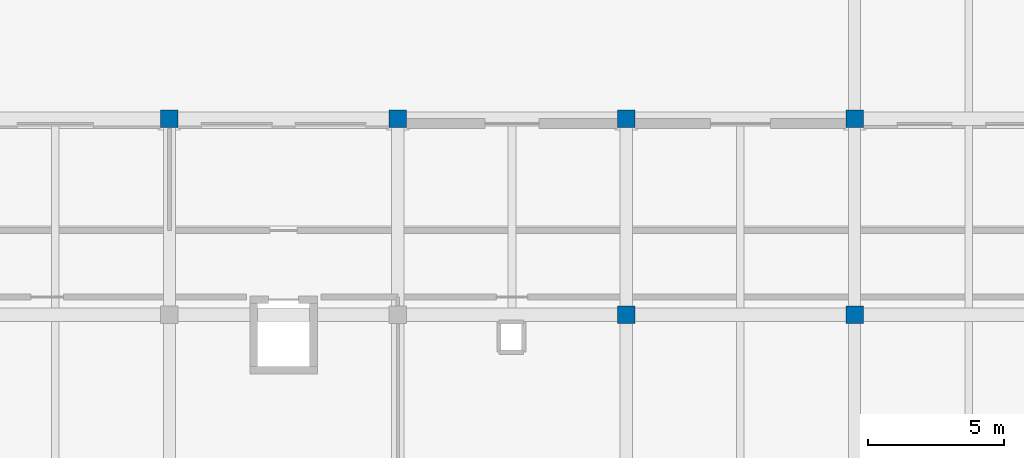
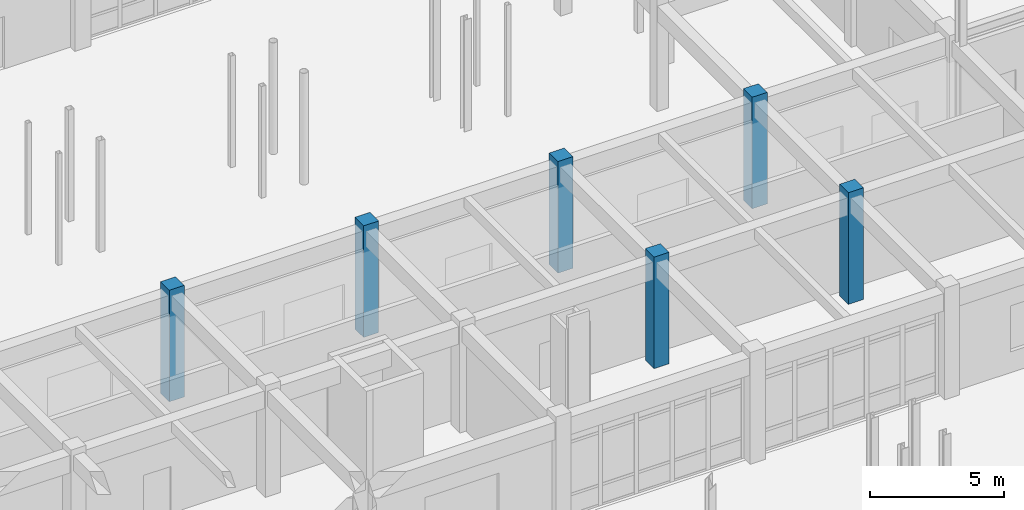
# One storey, part 22 of 121: 6 columns.
"""IFC4 building model written with IfcOpenShell, lengths in metres."""

import ifcopenshell
import ifcopenshell.guid

model = None  # the IFC model being written
_history = None  # IfcOwnerHistory: only IFC2X3 demands one
_inside = {}  # id of a spatial element -> (the spatial element, [elements in it])
_under = {}  # id of a project, library or spatial element -> (it, [spatial elements below it])
_declared = {}  # id of a project -> (the project, [libraries it declares])
_typed = {}  # id of a type object -> (the type object, [elements of that type])
_made_of = {}  # id of a material, layer set ... -> (it, [elements and type objects made of it])


def new_model(schema):
    """Start an empty IFC model of exactly this schema.

    Asked for "IFC4X3", IfcOpenShell would pick the latest addendum, in which some entities
    have other attributes; the version numbers below select the first issue.
    IFC2X3 requires an IfcOwnerHistory on every rooted entity: one is made here for all.
    """
    global model, _history
    if schema == "IFC4X3":
        model = ifcopenshell.file(schema_version=(4, 3, 0, 0))
    else:
        model = ifcopenshell.file(schema=schema)
    _inside.clear()
    _under.clear()
    _declared.clear()
    _typed.clear()
    _made_of.clear()
    _history = None
    if model.schema == "IFC2X3":
        org = make("IfcOrganization", Name="unknown")
        user = make(
            "IfcPersonAndOrganization",
            ThePerson=make("IfcPerson", FamilyName="unknown"),
            TheOrganization=org,
        )
        app = make(
            "IfcApplication",
            ApplicationDeveloper=org,
            Version="unknown",
            ApplicationFullName="unknown",
            ApplicationIdentifier="unknown",
        )
        _history = make(
            "IfcOwnerHistory",
            OwningUser=user,
            OwningApplication=app,
            ChangeAction="ADDED",
            CreationDate=0,
        )
    return model


def make(cls, **values):
    """One entity of the class cls with the attributes given. An attribute that is None is left unset."""
    return model.create_entity(
        cls, **{name: value for name, value in values.items() if value is not None}
    )


def rooted(cls, **values):
    """An entity with a GlobalId (a new one), such as an element, a storey or a relation."""
    return make(cls, GlobalId=ifcopenshell.guid.new(), OwnerHistory=_history, **values)


def si_unit(unit_type, name, prefix=None):
    """IfcSIUnit, for example si_unit("LENGTHUNIT", "METRE", prefix="MILLI")."""
    return make("IfcSIUnit", UnitType=unit_type, Prefix=prefix, Name=name)


def assignment(units):
    """IfcUnitAssignment: the units of a project."""
    return None if units is None else make("IfcUnitAssignment", Units=units)


def point(xyz):
    """IfcCartesianPoint."""
    return None if xyz is None else make("IfcCartesianPoint", Coordinates=xyz)


def direction(xyz):
    """IfcDirection."""
    return None if xyz is None else make("IfcDirection", DirectionRatios=xyz)


def frame(location, z_axis=None, x_axis=None):
    """IfcAxis2Placement3D, a coordinate frame: its origin and axes. An axis left out is left unset."""
    return make(
        "IfcAxis2Placement3D",
        Location=point(location),
        Axis=direction(z_axis),
        RefDirection=direction(x_axis),
    )


def frame_2d(location, x_axis=None):
    """IfcAxis2Placement2D, a coordinate frame in the plane: its origin and x axis."""
    return make(
        "IfcAxis2Placement2D", Location=point(location), RefDirection=direction(x_axis)
    )


def origin():
    """The frame at (0, 0, 0) with its axes left unset."""
    return frame((0.0, 0.0, 0.0))


def origin_2d():
    """The frame at (0, 0) in the plane with its x axis left unset."""
    return frame_2d((0.0, 0.0))


def place(relative_to, where):
    """IfcLocalPlacement: puts the frame where relative to a parent placement (None: the world)."""
    return make(
        "IfcLocalPlacement", PlacementRelTo=relative_to, RelativePlacement=where
    )


def context(
    kind, dimensions, precision=None, world=None, true_north=None, identifier=None
):
    """IfcGeometricRepresentationContext, for example the 3D "Model" context."""
    return make(
        "IfcGeometricRepresentationContext",
        ContextIdentifier=identifier,
        ContextType=kind,
        CoordinateSpaceDimension=dimensions,
        Precision=precision,
        WorldCoordinateSystem=world,
        TrueNorth=true_north,
    )


def subcontext(parent, identifier, kind, view, scale=None):
    """IfcGeometricRepresentationSubContext, for example "Body" below "Model"."""
    return make(
        "IfcGeometricRepresentationSubContext",
        ContextIdentifier=identifier,
        ContextType=kind,
        ParentContext=parent,
        TargetScale=scale,
        TargetView=view,
    )


def project(units=None, contexts=None):
    """IfcProject with its units and contexts."""
    return rooted(
        "IfcProject",
        Name="project",
        RepresentationContexts=contexts,
        UnitsInContext=assignment(units),
    )


def spatial(cls, under=None, at=None, **own):
    """A site, building, storey or space (cls), placed at a placement, below another one or the project."""
    s = rooted(cls, ObjectPlacement=at, **own)
    if under is not None:
        _under.setdefault(under.id(), (under, []))[1].append(s)
    return s


def profile(cls, at=None, kind="AREA", **sizes):
    """A parametric profile (cls). Its sizes go by their IFC names, for example OverallWidth=200.0."""
    return make(cls, ProfileType=kind, Position=at, **sizes)


def rectangle(**sizes):
    """IfcRectangleProfileDef."""
    return profile("IfcRectangleProfileDef", **sizes)


def extrude(swept, where, along, depth):
    """IfcExtrudedAreaSolid: the profile swept, set in the frame where, extruded along a direction by depth."""
    return make(
        "IfcExtrudedAreaSolid",
        SweptArea=swept,
        Position=where,
        ExtrudedDirection=direction(along),
        Depth=depth,
    )


def shape(context_of_items, identifier, shape_type, items):
    """IfcShapeRepresentation: the items that make up one representation, for example the "Body"."""
    return make(
        "IfcShapeRepresentation",
        ContextOfItems=context_of_items,
        RepresentationIdentifier=identifier,
        RepresentationType=shape_type,
        Items=items,
    )


def material(Name=None, Category=None):
    """IfcMaterial."""
    return make("IfcMaterial", Name=Name, Category=Category)


def material_profile(
    of_material, cross_section, Name=None, Category=None, Priority=None
):
    """IfcMaterialProfile: a cross section and its material."""
    return make(
        "IfcMaterialProfile",
        Name=Name,
        Material=of_material,
        Profile=cross_section,
        Priority=Priority,
        Category=Category,
    )


def profile_set(profiles, Name=None, composite=None):
    """IfcMaterialProfileSet."""
    return make(
        "IfcMaterialProfileSet",
        Name=Name,
        MaterialProfiles=profiles,
        CompositeProfile=composite,
    )


def made_of(thing, what):
    """Note that an element or type object is made of a material, layer set ...; save() writes the relation."""
    if what is not None:
        _made_of.setdefault(what.id(), (what, []))[1].append(thing)
    return thing


def type_object(cls, material=None, **own):
    """A type object (cls), such as IfcWallType, which elements share."""
    return made_of(rooted(cls, **own), material)


def element(
    cls,
    number,
    at=None,
    inside=None,
    cuts=None,
    type_object=None,
    material=None,
    context=None,
    identifier="Body",
    shape_type=None,
    held_by="IfcProductDefinitionShape",
    body=None,
    shapes=None,
    **own,
):
    """One element of the class cls, such as IfcWall. Its Tag is "e" and its number.

    at: its placement. inside: the storey or other place that contains it. cuts: it is an
    opening in that element (IfcRelVoidsElement). A single representation is given by context,
    identifier, shape_type and body (its items); several are given by shapes. held_by: the class
    of the entity that holds the representations. save() writes the other relations.
    """
    e = rooted(cls, Tag="e%d" % number, ObjectPlacement=at, **own)
    if body is not None:
        shapes = [shape(context, identifier, shape_type, body)]
    if shapes is not None:
        e.Representation = make(held_by, Representations=shapes)
    if inside is not None:
        _inside.setdefault(inside.id(), (inside, []))[1].append(e)
    if cuts is not None:
        rooted(
            "IfcRelVoidsElement", RelatingBuildingElement=cuts, RelatedOpeningElement=e
        )
    if type_object is not None:
        _typed.setdefault(type_object.id(), (type_object, []))[1].append(e)
    return made_of(e, material)


def aggregate(whole, parts):
    """IfcRelAggregates: a whole, such as a stair, and the parts it consists of."""
    return rooted("IfcRelAggregates", RelatingObject=whole, RelatedObjects=parts)


def save(model, path):
    """Write the relations noted so far, then the file.

    IfcRelAggregates (storeys below a building ...), IfcRelContainedInSpatialStructure (elements
    in a storey), IfcRelDefinesByType, IfcRelAssociatesMaterial and IfcRelDeclares: one each for
    every whole, place, type object, material and project.
    """
    for whole, parts in _under.values():
        aggregate(whole, parts)
    for where, things in _inside.values():
        rooted(
            "IfcRelContainedInSpatialStructure",
            RelatedElements=things,
            RelatingStructure=where,
        )
    for kind, things in _typed.values():
        rooted("IfcRelDefinesByType", RelatedObjects=things, RelatingType=kind)
    for what, things in _made_of.values():
        rooted("IfcRelAssociatesMaterial", RelatedObjects=things, RelatingMaterial=what)
    for by, libraries in _declared.values():
        rooted("IfcRelDeclares", RelatingContext=by, RelatedDefinitions=libraries)
    model.write(path)


model = new_model("IFC4")

# Units and contexts
model_context = context("Model", 3, precision=1e-05, world=origin(), true_north=direction((0.0, 1.0)))
body_context = subcontext(model_context, "Body", "Model", "MODEL_VIEW")
ifc_project = project(units=[si_unit("LENGTHUNIT", "METRE"), si_unit("AREAUNIT", "SQUARE_METRE"), si_unit("VOLUMEUNIT", "CUBIC_METRE"), si_unit("PLANEANGLEUNIT", "RADIAN"), si_unit("MASSUNIT", "GRAM", prefix="KILO")], contexts=[model_context])

# Site, building, storey
site_placement = place(None, origin())
site = spatial("IfcSite", under=ifc_project, at=site_placement, CompositionType="ELEMENT")
building_placement = place(site_placement, origin())
building = spatial("IfcBuilding", under=site, at=building_placement, Name="Malvenik Polytechnic", CompositionType="ELEMENT")
storey_placement = place(building_placement, origin())
storey = spatial("IfcBuildingStorey", under=building, at=storey_placement, Name="L00", CompositionType="ELEMENT", Elevation=0.0)

# Columns
ifc_material = material(Name="Concrete C35/45", Category="concrete")
ifc_material_profile = material_profile(ifc_material, rectangle(XDim=0.64990234375, YDim=0.64990234375, at=origin_2d()), Name="RC COL 650x650")
ifc_profile_set = profile_set([ifc_material_profile], Name="Concrete C35/45")
column_type = type_object("IfcColumnType", Name="STR-COL-C-05", PredefinedType="COLUMN", material=ifc_profile_set)
for number, where, z_axis, x_axis, name in (
    (1, (100.800048828125, 93.60009765625, 0.0), (0.0, 0.0, 1.0), (1.0, 0.0, 0.0), "Column C-05 L00 (100.8,93.6)"),
    (2, (109.199951171875, 93.60009765625, 0.0), (0.0, 0.0, 1.0), (1.0, 0.0, 0.0), "Column C-05 L00 (109.2,93.6)"),
    (3, (117.60009765625, 86.39990234375, 0.0), (0.0, 0.0, 1.0), (1.0, 0.0, 0.0), "Column C-05 L00 (117.6,86.4)"),
    (4, (117.60009765625, 93.60009765625, 0.0), (0.0, 0.0, 1.0), (1.0, 0.0, 0.0), "Column C-05 L00 (117.6,93.6)"),
    (5, (126.0, 86.39990234375, 0.0), (0.0, 0.0, 1.0), (1.0, 0.0, 0.0), "Column C-05 L00 (126.0,86.4)"),
    (6, (126.0, 93.60009765625, 0.0), (0.0, 0.0, 1.0), (1.0, 0.0, 0.0), "Column C-05 L00 (126.0,93.6)"),
):
    element("IfcColumn", number, at=place(storey_placement, frame(where, z_axis=z_axis, x_axis=x_axis)), inside=storey, type_object=column_type, Name=name, PredefinedType="COLUMN", context=body_context, shape_type="SweptSolid", body=[
        extrude(rectangle(XDim=0.64990234375, YDim=0.64990234375, at=origin_2d()), origin(), (0.0, 0.0, 1.0), 5.10009765625),
    ])

save(model, "model.ifc")
